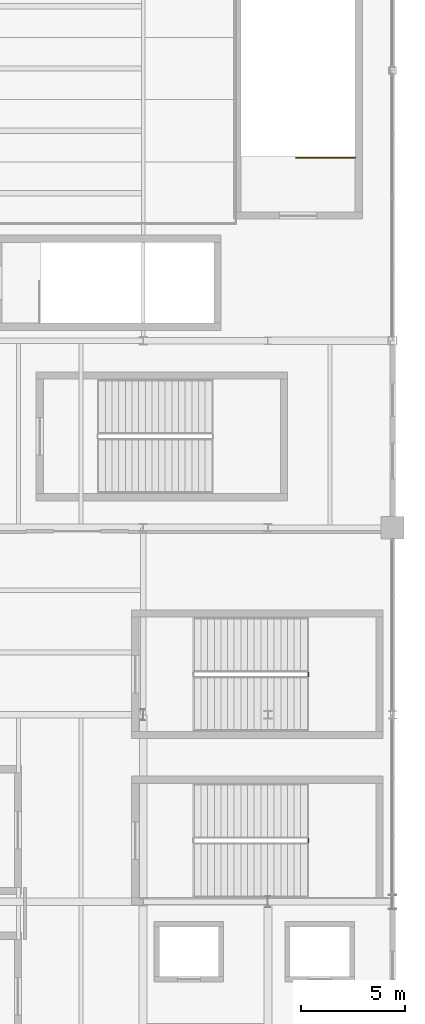
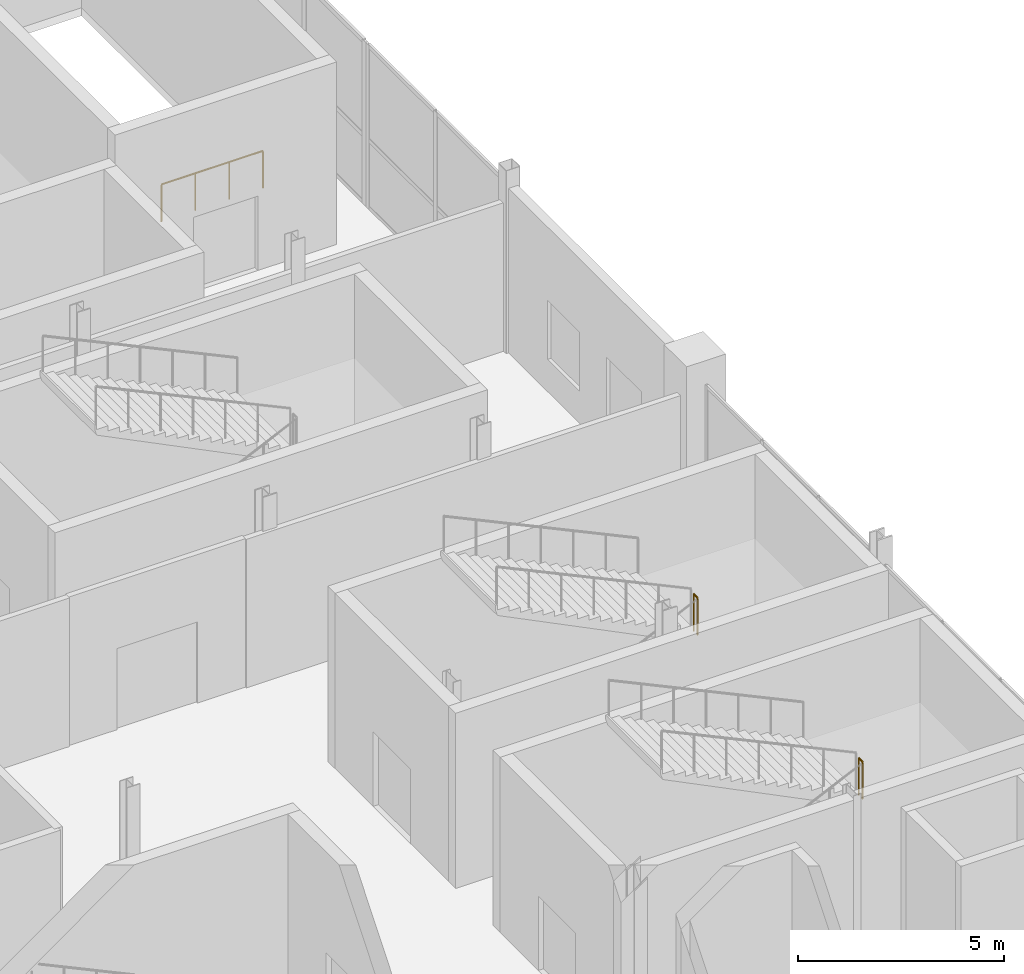
# One storey, part 118 of 119: 3 railings.
"""IFC4 building model written with IfcOpenShell, lengths in metres."""

import ifcopenshell
import ifcopenshell.guid

model = None  # the IFC model being written
_history = None  # IfcOwnerHistory: only IFC2X3 demands one
_inside = {}  # id of a spatial element -> (the spatial element, [elements in it])
_under = {}  # id of a project, library or spatial element -> (it, [spatial elements below it])
_declared = {}  # id of a project -> (the project, [libraries it declares])
_typed = {}  # id of a type object -> (the type object, [elements of that type])
_made_of = {}  # id of a material, layer set ... -> (it, [elements and type objects made of it])


def new_model(schema):
    """Start an empty IFC model of exactly this schema.

    Asked for "IFC4X3", IfcOpenShell would pick the latest addendum, in which some entities
    have other attributes; the version numbers below select the first issue.
    IFC2X3 requires an IfcOwnerHistory on every rooted entity: one is made here for all.
    """
    global model, _history
    if schema == "IFC4X3":
        model = ifcopenshell.file(schema_version=(4, 3, 0, 0))
    else:
        model = ifcopenshell.file(schema=schema)
    _inside.clear()
    _under.clear()
    _declared.clear()
    _typed.clear()
    _made_of.clear()
    _history = None
    if model.schema == "IFC2X3":
        org = make("IfcOrganization", Name="unknown")
        user = make(
            "IfcPersonAndOrganization",
            ThePerson=make("IfcPerson", FamilyName="unknown"),
            TheOrganization=org,
        )
        app = make(
            "IfcApplication",
            ApplicationDeveloper=org,
            Version="unknown",
            ApplicationFullName="unknown",
            ApplicationIdentifier="unknown",
        )
        _history = make(
            "IfcOwnerHistory",
            OwningUser=user,
            OwningApplication=app,
            ChangeAction="ADDED",
            CreationDate=0,
        )
    return model


def make(cls, **values):
    """One entity of the class cls with the attributes given. An attribute that is None is left unset."""
    return model.create_entity(
        cls, **{name: value for name, value in values.items() if value is not None}
    )


def rooted(cls, **values):
    """An entity with a GlobalId (a new one), such as an element, a storey or a relation."""
    return make(cls, GlobalId=ifcopenshell.guid.new(), OwnerHistory=_history, **values)


def si_unit(unit_type, name, prefix=None):
    """IfcSIUnit, for example si_unit("LENGTHUNIT", "METRE", prefix="MILLI")."""
    return make("IfcSIUnit", UnitType=unit_type, Prefix=prefix, Name=name)


def assignment(units):
    """IfcUnitAssignment: the units of a project."""
    return None if units is None else make("IfcUnitAssignment", Units=units)


def point(xyz):
    """IfcCartesianPoint."""
    return None if xyz is None else make("IfcCartesianPoint", Coordinates=xyz)


def direction(xyz):
    """IfcDirection."""
    return None if xyz is None else make("IfcDirection", DirectionRatios=xyz)


def frame(location, z_axis=None, x_axis=None):
    """IfcAxis2Placement3D, a coordinate frame: its origin and axes. An axis left out is left unset."""
    return make(
        "IfcAxis2Placement3D",
        Location=point(location),
        Axis=direction(z_axis),
        RefDirection=direction(x_axis),
    )


def frame_2d(location, x_axis=None):
    """IfcAxis2Placement2D, a coordinate frame in the plane: its origin and x axis."""
    return make(
        "IfcAxis2Placement2D", Location=point(location), RefDirection=direction(x_axis)
    )


def origin():
    """The frame at (0, 0, 0) with its axes left unset."""
    return frame((0.0, 0.0, 0.0))


def origin_2d():
    """The frame at (0, 0) in the plane with its x axis left unset."""
    return frame_2d((0.0, 0.0))


def place(relative_to, where):
    """IfcLocalPlacement: puts the frame where relative to a parent placement (None: the world)."""
    return make(
        "IfcLocalPlacement", PlacementRelTo=relative_to, RelativePlacement=where
    )


def context(
    kind, dimensions, precision=None, world=None, true_north=None, identifier=None
):
    """IfcGeometricRepresentationContext, for example the 3D "Model" context."""
    return make(
        "IfcGeometricRepresentationContext",
        ContextIdentifier=identifier,
        ContextType=kind,
        CoordinateSpaceDimension=dimensions,
        Precision=precision,
        WorldCoordinateSystem=world,
        TrueNorth=true_north,
    )


def subcontext(parent, identifier, kind, view, scale=None):
    """IfcGeometricRepresentationSubContext, for example "Body" below "Model"."""
    return make(
        "IfcGeometricRepresentationSubContext",
        ContextIdentifier=identifier,
        ContextType=kind,
        ParentContext=parent,
        TargetScale=scale,
        TargetView=view,
    )


def project(units=None, contexts=None):
    """IfcProject with its units and contexts."""
    return rooted(
        "IfcProject",
        Name="project",
        RepresentationContexts=contexts,
        UnitsInContext=assignment(units),
    )


def spatial(cls, under=None, at=None, **own):
    """A site, building, storey or space (cls), placed at a placement, below another one or the project."""
    s = rooted(cls, ObjectPlacement=at, **own)
    if under is not None:
        _under.setdefault(under.id(), (under, []))[1].append(s)
    return s


def profile(cls, at=None, kind="AREA", **sizes):
    """A parametric profile (cls). Its sizes go by their IFC names, for example OverallWidth=200.0."""
    return make(cls, ProfileType=kind, Position=at, **sizes)


def circle(**sizes):
    """IfcCircleProfileDef."""
    return profile("IfcCircleProfileDef", **sizes)


def extrude(swept, where, along, depth):
    """IfcExtrudedAreaSolid: the profile swept, set in the frame where, extruded along a direction by depth."""
    return make(
        "IfcExtrudedAreaSolid",
        SweptArea=swept,
        Position=where,
        ExtrudedDirection=direction(along),
        Depth=depth,
    )


def shape(context_of_items, identifier, shape_type, items):
    """IfcShapeRepresentation: the items that make up one representation, for example the "Body"."""
    return make(
        "IfcShapeRepresentation",
        ContextOfItems=context_of_items,
        RepresentationIdentifier=identifier,
        RepresentationType=shape_type,
        Items=items,
    )


def material(Name=None, Category=None):
    """IfcMaterial."""
    return make("IfcMaterial", Name=Name, Category=Category)


def made_of(thing, what):
    """Note that an element or type object is made of a material, layer set ...; save() writes the relation."""
    if what is not None:
        _made_of.setdefault(what.id(), (what, []))[1].append(thing)
    return thing


def type_object(cls, material=None, **own):
    """A type object (cls), such as IfcWallType, which elements share."""
    return made_of(rooted(cls, **own), material)


def element(
    cls,
    number,
    at=None,
    inside=None,
    cuts=None,
    type_object=None,
    material=None,
    context=None,
    identifier="Body",
    shape_type=None,
    held_by="IfcProductDefinitionShape",
    body=None,
    shapes=None,
    **own,
):
    """One element of the class cls, such as IfcWall. Its Tag is "e" and its number.

    at: its placement. inside: the storey or other place that contains it. cuts: it is an
    opening in that element (IfcRelVoidsElement). A single representation is given by context,
    identifier, shape_type and body (its items); several are given by shapes. held_by: the class
    of the entity that holds the representations. save() writes the other relations.
    """
    e = rooted(cls, Tag="e%d" % number, ObjectPlacement=at, **own)
    if body is not None:
        shapes = [shape(context, identifier, shape_type, body)]
    if shapes is not None:
        e.Representation = make(held_by, Representations=shapes)
    if inside is not None:
        _inside.setdefault(inside.id(), (inside, []))[1].append(e)
    if cuts is not None:
        rooted(
            "IfcRelVoidsElement", RelatingBuildingElement=cuts, RelatedOpeningElement=e
        )
    if type_object is not None:
        _typed.setdefault(type_object.id(), (type_object, []))[1].append(e)
    return made_of(e, material)


def aggregate(whole, parts):
    """IfcRelAggregates: a whole, such as a stair, and the parts it consists of."""
    return rooted("IfcRelAggregates", RelatingObject=whole, RelatedObjects=parts)


def save(model, path):
    """Write the relations noted so far, then the file.

    IfcRelAggregates (storeys below a building ...), IfcRelContainedInSpatialStructure (elements
    in a storey), IfcRelDefinesByType, IfcRelAssociatesMaterial and IfcRelDeclares: one each for
    every whole, place, type object, material and project.
    """
    for whole, parts in _under.values():
        aggregate(whole, parts)
    for where, things in _inside.values():
        rooted(
            "IfcRelContainedInSpatialStructure",
            RelatedElements=things,
            RelatingStructure=where,
        )
    for kind, things in _typed.values():
        rooted("IfcRelDefinesByType", RelatedObjects=things, RelatingType=kind)
    for what, things in _made_of.values():
        rooted("IfcRelAssociatesMaterial", RelatedObjects=things, RelatingMaterial=what)
    for by, libraries in _declared.values():
        rooted("IfcRelDeclares", RelatingContext=by, RelatedDefinitions=libraries)
    model.write(path)


model = new_model("IFC4")

# Units and contexts
model_context = context("Model", 3, precision=1e-05, world=origin(), true_north=direction((0.0, 1.0)))
body_context = subcontext(model_context, "Body", "Model", "MODEL_VIEW")
ifc_project = project(units=[si_unit("LENGTHUNIT", "METRE"), si_unit("AREAUNIT", "SQUARE_METRE"), si_unit("VOLUMEUNIT", "CUBIC_METRE"), si_unit("PLANEANGLEUNIT", "RADIAN"), si_unit("MASSUNIT", "GRAM", prefix="KILO")], contexts=[model_context])

# Site, building, storey
site_placement = place(None, origin())
site = spatial("IfcSite", under=ifc_project, at=site_placement, CompositionType="ELEMENT")
building_placement = place(site_placement, origin())
building = spatial("IfcBuilding", under=site, at=building_placement, Name="Qamarlyn Nura Convention Centre", CompositionType="ELEMENT")
storey_placement = place(building_placement, frame((0.0, 0.0, 5.39990234375)))
storey = spatial("IfcBuildingStorey", under=building, at=storey_placement, Name="L01", CompositionType="ELEMENT", Elevation=5.39990234375)

# Railings
ifc_material = material(Name="Marine Grade 316 stainless steel", Category="steel")
railing_type = type_object("IfcRailingType", Name="GRD-STAIR-112", PredefinedType="BALUSTRADE", material=ifc_material)
for number, where, name in (
    (1, (187.949951171875, 65.860107421875, 2.7001953125), "L01 ST-13 stair guard 2"),
    (2, (187.949951171875, 73.860107421875, 2.7001953125), "L01 ST-14 stair guard 2"),
):
    element("IfcRailing", number, at=place(storey_placement, frame(where)), inside=storey, type_object=railing_type, Name=name, PredefinedType="BALUSTRADE", context=body_context, shape_type="SweptSolid", body=[
        extrude(circle(Radius=0.02392578125, at=origin_2d()), frame((0.0, 0.0, 1.09619140625), z_axis=(0.0, 1.0, 0.0), x_axis=(-1.0, 0.0, 0.0)), (0.0, 0.0, 1.0), 0.179931640625),
        extrude(circle(Radius=0.02099609375, at=origin_2d()), origin(), (0.0, 0.0, 1.0), 1.070068359375),
        extrude(circle(Radius=0.02099609375, at=origin_2d()), frame((0.0, 0.179931640625, 0.0)), (0.0, 0.0, 1.0), 1.070068359375),
    ])
railing_placement = place(storey_placement, frame((190.199951171875, 98.81005859375, 0.0)))
element("IfcRailing", 3, at=railing_placement, inside=storey, type_object=railing_type, Name="L01 ST-18 top well guard 1", PredefinedType="BALUSTRADE", context=body_context, shape_type="SweptSolid", body=[
    extrude(circle(Radius=0.02392578125, at=origin_2d()), frame((0.0, 0.0, 1.09619140625), z_axis=(-1.0, 0.0, 0.0), x_axis=(0.0, -1.0, 0.0)), (0.0, 0.0, 1.0), 2.83984375),
    extrude(circle(Radius=0.02099609375, at=origin_2d()), origin(), (0.0, 0.0, 1.0), 1.070068359375),
    extrude(circle(Radius=0.02099609375, at=origin_2d()), frame((-0.946533203125, 0.0, 0.0)), (0.0, 0.0, 1.0), 1.070068359375),
    extrude(circle(Radius=0.02099609375, at=origin_2d()), frame((-1.893310546875, 0.0, 0.0)), (0.0, 0.0, 1.0), 1.070068359375),
    extrude(circle(Radius=0.02099609375, at=origin_2d()), frame((-2.83984375, 0.0, 0.0)), (0.0, 0.0, 1.0), 1.070068359375),
])

save(model, "model.ifc")
